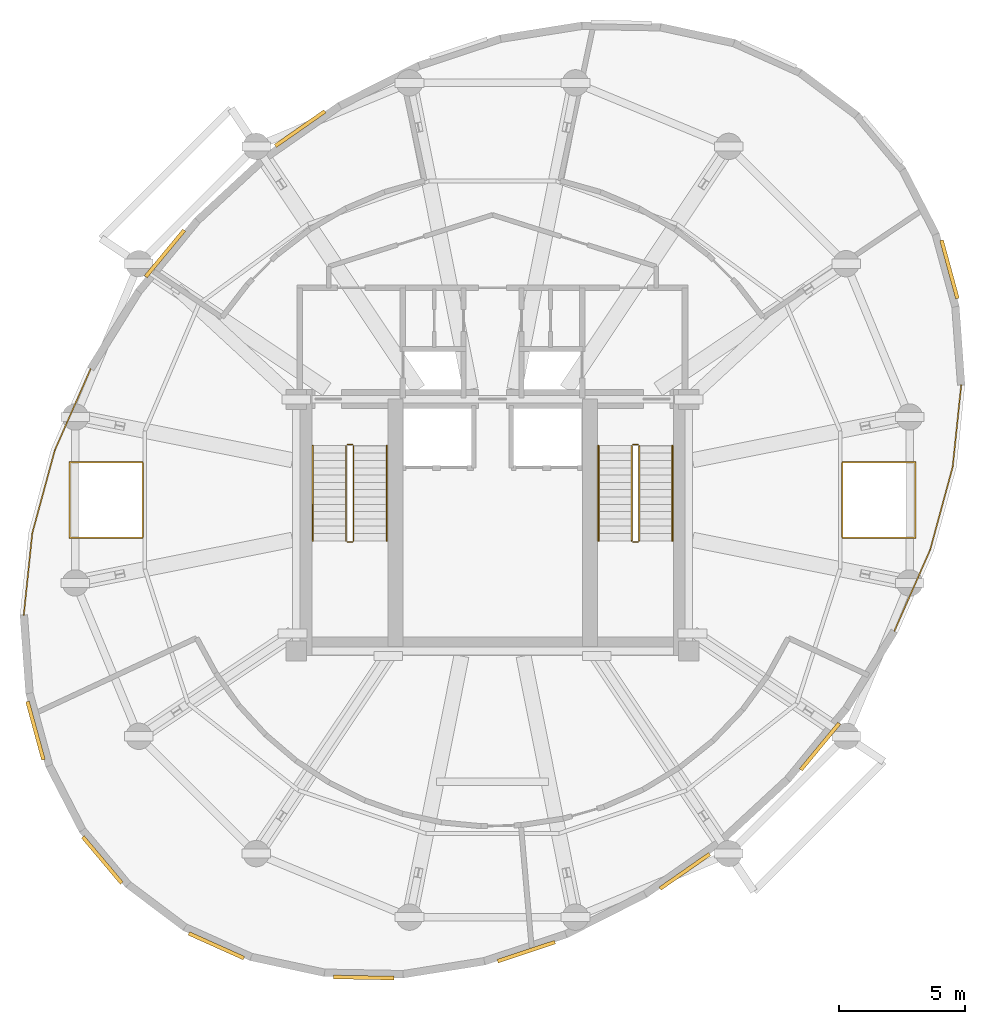
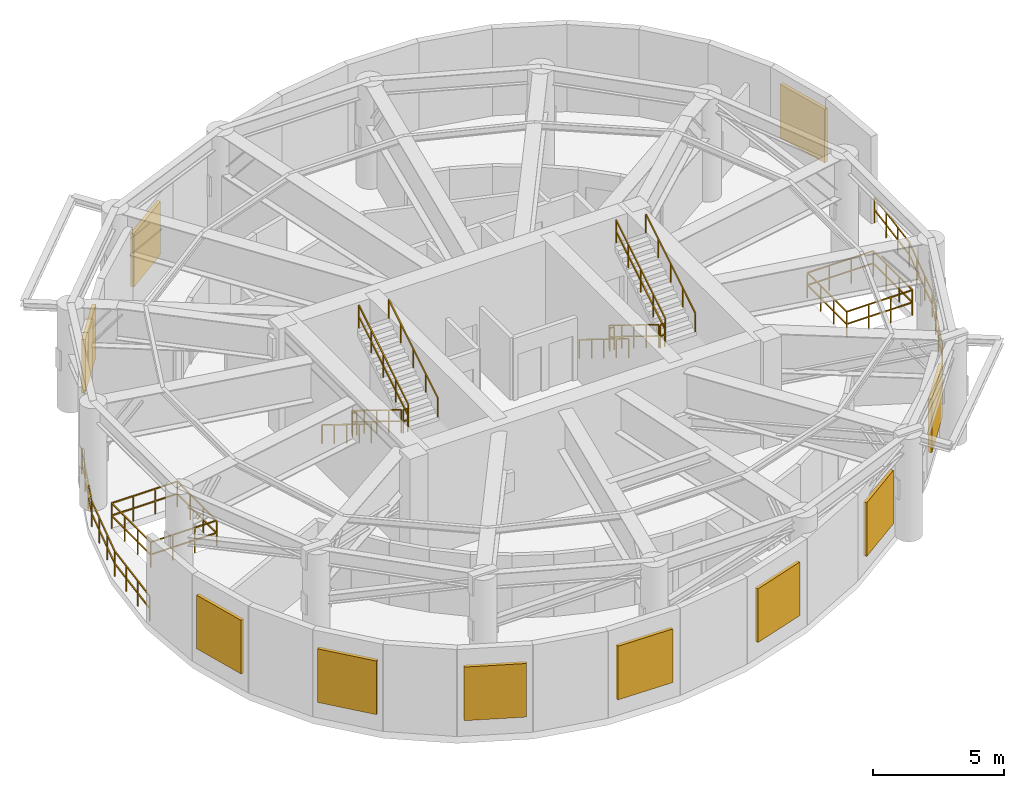
# One storey, part 6 of 7: 20 railings, 10 shading devices.
"""IFC4 building model written with IfcOpenShell, lengths in metres."""

from ifc_helpers import new_model, si_unit, direction, frame, origin, origin_2d, place, context, subcontext, project, spatial, rectangle, extrude, material, layer, layer_set, type_object, element, save


model = new_model("IFC4")

# Units and contexts
model_context = context("Model", 3, precision=1e-05, world=origin(), true_north=direction((0.0, 1.0)))
body_context = subcontext(model_context, "Body", "Model", "MODEL_VIEW")
ifc_project = project(units=[si_unit("LENGTHUNIT", "METRE"), si_unit("AREAUNIT", "SQUARE_METRE"), si_unit("VOLUMEUNIT", "CUBIC_METRE"), si_unit("PLANEANGLEUNIT", "RADIAN"), si_unit("MASSUNIT", "GRAM", prefix="KILO"), si_unit("THERMODYNAMICTEMPERATUREUNIT", "KELVIN"), si_unit("POWERUNIT", "WATT")], contexts=[model_context])

# Site, building, storey
site_placement = place(None, origin())
site = spatial("IfcSite", under=ifc_project, at=site_placement, CompositionType="ELEMENT")
building_placement = place(site_placement, origin())
building = spatial("IfcBuilding", under=site, at=building_placement, Name="Ocrelia Relay Tower", CompositionType="ELEMENT")
storey_placement = place(building_placement, frame((0.0, 0.0, 225.39990234375)))
storey = spatial("IfcBuildingStorey", under=building, at=storey_placement, Name="L55", CompositionType="ELEMENT", Elevation=225.39990234375)

# Railings
ifc_material_1 = material(Name="Steel S355 balustrade", Category="steel")
railing_type_1 = type_object("IfcRailingType", Name="RL-PORTAL-GUARD-1200", PredefinedType="GUARDRAIL", material=ifc_material_1)
railing_1_placement = place(storey_placement, frame((18.03125, 31.210205078125, 0.0)))
element("IfcRailing", 1, at=railing_1_placement, inside=storey, type_object=railing_type_1, Name="L55 Wind Portal Perimeter Guard 12", PredefinedType="GUARDRAIL", context=body_context, shape_type="SweptSolid", body=[
    extrude(rectangle(XDim=0.048095703125, YDim=0.048095703125, at=origin_2d()), frame((0.0, 0.0, 1.17578125), z_axis=(-0.402993412644, -0.915202878801, 0.0), x_axis=(0.915202878801, -0.402993412644, 0.0)), (0.0, 0.0, 1.0), 3.531982421875),
    extrude(rectangle(XDim=0.048095703125, YDim=0.048095703125, at=origin_2d()), frame((0.0, 0.0, 0.60009765625), z_axis=(-0.402993412644, -0.915202878801, 0.0), x_axis=(0.915202878801, -0.402993412644, 0.0)), (0.0, 0.0, 1.0), 3.531982421875),
    extrude(rectangle(XDim=0.0419921875, YDim=0.0419921875, at=origin_2d()), origin(), (0.0, 0.0, 1.0), 1.15185546875),
    extrude(rectangle(XDim=0.0419921875, YDim=0.0419921875, at=origin_2d()), frame((-0.474365234375, -1.077392578125, 0.0)), (0.0, 0.0, 1.0), 1.15185546875),
    extrude(rectangle(XDim=0.0419921875, YDim=0.0419921875, at=origin_2d()), frame((-0.948974609375, -2.155029296875, 0.0)), (0.0, 0.0, 1.0), 1.15185546875),
    extrude(rectangle(XDim=0.0419921875, YDim=0.0419921875, at=origin_2d()), frame((-1.42333984375, -3.232421875, 0.0)), (0.0, 0.0, 1.0), 1.15185546875),
])
railing_2_placement = place(storey_placement, frame((16.60791015625, 27.977783203125, 0.0)))
element("IfcRailing", 2, at=railing_2_placement, inside=storey, type_object=railing_type_1, Name="L55 Wind Portal Perimeter Guard 13", PredefinedType="GUARDRAIL", context=body_context, shape_type="SweptSolid", body=[
    extrude(rectangle(XDim=0.048095703125, YDim=0.048095703125, at=origin_2d()), frame((0.0, 0.0, 1.17578125), z_axis=(-0.262251476405, -0.964999566385, 0.0), x_axis=(0.964999566385, -0.262251476405, 0.0)), (0.0, 0.0, 1.0), 3.411865234375),
    extrude(rectangle(XDim=0.048095703125, YDim=0.048095703125, at=origin_2d()), frame((0.0, 0.0, 0.60009765625), z_axis=(-0.262251476405, -0.964999566385, 0.0), x_axis=(0.964999566385, -0.262251476405, 0.0)), (0.0, 0.0, 1.0), 3.411865234375),
    extrude(rectangle(XDim=0.0419921875, YDim=0.0419921875, at=origin_2d()), origin(), (0.0, 0.0, 1.0), 1.15185546875),
    extrude(rectangle(XDim=0.0419921875, YDim=0.0419921875, at=origin_2d()), frame((-0.29833984375, -1.097412109375, 0.0)), (0.0, 0.0, 1.0), 1.15185546875),
    extrude(rectangle(XDim=0.0419921875, YDim=0.0419921875, at=origin_2d()), frame((-0.596435546875, -2.195068359375, 0.0)), (0.0, 0.0, 1.0), 1.15185546875),
    extrude(rectangle(XDim=0.0419921875, YDim=0.0419921875, at=origin_2d()), frame((-0.894775390625, -3.29248046875, 0.0)), (0.0, 0.0, 1.0), 1.15185546875),
])
railing_3_placement = place(storey_placement, frame((15.713134765625, 24.685302734375, 0.0)))
element("IfcRailing", 3, at=railing_3_placement, inside=storey, type_object=railing_type_1, Name="L55 Wind Portal Perimeter Guard 14", PredefinedType="GUARDRAIL", context=body_context, shape_type="SweptSolid", body=[
    extrude(rectangle(XDim=0.048095703125, YDim=0.048095703125, at=origin_2d()), frame((0.0, 0.0, 1.17578125), z_axis=(-0.103693783349, -0.994609269661, 0.0), x_axis=(0.994609269661, -0.103693783349, 0.0)), (0.0, 0.0, 1.0), 3.270263671875),
    extrude(rectangle(XDim=0.048095703125, YDim=0.048095703125, at=origin_2d()), frame((0.0, 0.0, 0.60009765625), z_axis=(-0.103693783349, -0.994609269661, 0.0), x_axis=(0.994609269661, -0.103693783349, 0.0)), (0.0, 0.0, 1.0), 3.270263671875),
    extrude(rectangle(XDim=0.0419921875, YDim=0.0419921875, at=origin_2d()), origin(), (0.0, 0.0, 1.0), 1.15185546875),
    extrude(rectangle(XDim=0.0419921875, YDim=0.0419921875, at=origin_2d()), frame((-0.113037109375, -1.084228515625, 0.0)), (0.0, 0.0, 1.0), 1.15185546875),
    extrude(rectangle(XDim=0.0419921875, YDim=0.0419921875, at=origin_2d()), frame((-0.22607421875, -2.16845703125, 0.0)), (0.0, 0.0, 1.0), 1.15185546875),
    extrude(rectangle(XDim=0.0419921875, YDim=0.0419921875, at=origin_2d()), frame((-0.339111328125, -3.252685546875, 0.0)), (0.0, 0.0, 1.0), 1.15185546875),
])
railing_4_placement = place(storey_placement, frame((49.96875, 20.789794921875, 0.0)))
element("IfcRailing", 4, at=railing_4_placement, inside=storey, type_object=railing_type_1, Name="L55 Wind Portal Perimeter Guard 30", PredefinedType="GUARDRAIL", context=body_context, shape_type="SweptSolid", body=[
    extrude(rectangle(XDim=0.048095703125, YDim=0.048095703125, at=origin_2d()), frame((0.0, 0.0, 1.17578125), z_axis=(0.402993412644, 0.915202878801, 0.0), x_axis=(-0.915202878801, 0.402993412644, 0.0)), (0.0, 0.0, 1.0), 3.531982421875),
    extrude(rectangle(XDim=0.048095703125, YDim=0.048095703125, at=origin_2d()), frame((0.0, 0.0, 0.60009765625), z_axis=(0.402993412644, 0.915202878801, 0.0), x_axis=(-0.915202878801, 0.402993412644, 0.0)), (0.0, 0.0, 1.0), 3.531982421875),
    extrude(rectangle(XDim=0.0419921875, YDim=0.0419921875, at=origin_2d()), origin(), (0.0, 0.0, 1.0), 1.15185546875),
    extrude(rectangle(XDim=0.0419921875, YDim=0.0419921875, at=origin_2d()), frame((0.474365234375, 1.077392578125, 0.0)), (0.0, 0.0, 1.0), 1.15185546875),
    extrude(rectangle(XDim=0.0419921875, YDim=0.0419921875, at=origin_2d()), frame((0.948974609375, 2.155029296875, 0.0)), (0.0, 0.0, 1.0), 1.15185546875),
    extrude(rectangle(XDim=0.0419921875, YDim=0.0419921875, at=origin_2d()), frame((1.42333984375, 3.232421875, 0.0)), (0.0, 0.0, 1.0), 1.15185546875),
])
railing_5_placement = place(storey_placement, frame((51.39208984375, 24.022216796875, 0.0)))
element("IfcRailing", 5, at=railing_5_placement, inside=storey, type_object=railing_type_1, Name="L55 Wind Portal Perimeter Guard 31", PredefinedType="GUARDRAIL", context=body_context, shape_type="SweptSolid", body=[
    extrude(rectangle(XDim=0.048095703125, YDim=0.048095703125, at=origin_2d()), frame((0.0, 0.0, 1.17578125), z_axis=(0.262251476405, 0.964999566385, 0.0), x_axis=(-0.964999566385, 0.262251476405, 0.0)), (0.0, 0.0, 1.0), 3.411865234375),
    extrude(rectangle(XDim=0.048095703125, YDim=0.048095703125, at=origin_2d()), frame((0.0, 0.0, 0.60009765625), z_axis=(0.262251476405, 0.964999566385, 0.0), x_axis=(-0.964999566385, 0.262251476405, 0.0)), (0.0, 0.0, 1.0), 3.411865234375),
    extrude(rectangle(XDim=0.0419921875, YDim=0.0419921875, at=origin_2d()), origin(), (0.0, 0.0, 1.0), 1.15185546875),
    extrude(rectangle(XDim=0.0419921875, YDim=0.0419921875, at=origin_2d()), frame((0.29833984375, 1.097412109375, 0.0)), (0.0, 0.0, 1.0), 1.15185546875),
    extrude(rectangle(XDim=0.0419921875, YDim=0.0419921875, at=origin_2d()), frame((0.596435546875, 2.195068359375, 0.0)), (0.0, 0.0, 1.0), 1.15185546875),
    extrude(rectangle(XDim=0.0419921875, YDim=0.0419921875, at=origin_2d()), frame((0.894775390625, 3.29248046875, 0.0)), (0.0, 0.0, 1.0), 1.15185546875),
])
railing_6_placement = place(storey_placement, frame((52.286865234375, 27.314697265625, 0.0)))
element("IfcRailing", 6, at=railing_6_placement, inside=storey, type_object=railing_type_1, Name="L55 Wind Portal Perimeter Guard 32", PredefinedType="GUARDRAIL", context=body_context, shape_type="SweptSolid", body=[
    extrude(rectangle(XDim=0.048095703125, YDim=0.048095703125, at=origin_2d()), frame((0.0, 0.0, 1.17578125), z_axis=(0.103693783349, 0.994609269661, 0.0), x_axis=(-0.994609269661, 0.103693783349, 0.0)), (0.0, 0.0, 1.0), 3.270263671875),
    extrude(rectangle(XDim=0.048095703125, YDim=0.048095703125, at=origin_2d()), frame((0.0, 0.0, 0.60009765625), z_axis=(0.103693783349, 0.994609269661, 0.0), x_axis=(-0.994609269661, 0.103693783349, 0.0)), (0.0, 0.0, 1.0), 3.270263671875),
    extrude(rectangle(XDim=0.0419921875, YDim=0.0419921875, at=origin_2d()), origin(), (0.0, 0.0, 1.0), 1.15185546875),
    extrude(rectangle(XDim=0.0419921875, YDim=0.0419921875, at=origin_2d()), frame((0.113037109375, 1.084228515625, 0.0)), (0.0, 0.0, 1.0), 1.15185546875),
    extrude(rectangle(XDim=0.0419921875, YDim=0.0419921875, at=origin_2d()), frame((0.22607421875, 2.16845703125, 0.0)), (0.0, 0.0, 1.0), 1.15185546875),
    extrude(rectangle(XDim=0.0419921875, YDim=0.0419921875, at=origin_2d()), frame((0.339111328125, 3.252685546875, 0.0)), (0.0, 0.0, 1.0), 1.15185546875),
])
railing_7_placement = place(storey_placement, frame((17.199951171875, 24.5, 0.0)))
element("IfcRailing", 7, at=railing_7_placement, inside=storey, type_object=railing_type_1, Name="L55 Double-Height Wind Portal Well Guard W", PredefinedType="GUARDRAIL", context=body_context, shape_type="SweptSolid", body=[
    extrude(rectangle(XDim=0.048095703125, YDim=0.048095703125, at=origin_2d()), frame((0.0, 0.0, 1.17578125), z_axis=(1.0, 0.0, 0.0), x_axis=(0.0, 1.0, 0.0)), (0.0, 0.0, 1.0), 2.900146484375),
    extrude(rectangle(XDim=0.048095703125, YDim=0.048095703125, at=origin_2d()), frame((0.0, 0.0, 0.60009765625), z_axis=(1.0, 0.0, 0.0), x_axis=(0.0, 1.0, 0.0)), (0.0, 0.0, 1.0), 2.900146484375),
    extrude(rectangle(XDim=0.048095703125, YDim=0.048095703125, at=origin_2d()), frame((2.900146484375, 0.0, 1.17578125), z_axis=(0.0, 1.0, 0.0), x_axis=(-1.0, 0.0, 0.0)), (0.0, 0.0, 1.0), 3.0),
    extrude(rectangle(XDim=0.048095703125, YDim=0.048095703125, at=origin_2d()), frame((2.900146484375, 0.0, 0.60009765625), z_axis=(0.0, 1.0, 0.0), x_axis=(-1.0, 0.0, 0.0)), (0.0, 0.0, 1.0), 3.0),
    extrude(rectangle(XDim=0.048095703125, YDim=0.048095703125, at=origin_2d()), frame((2.900146484375, 3.0, 1.17578125), z_axis=(-1.0, 0.0, 0.0), x_axis=(0.0, -1.0, 0.0)), (0.0, 0.0, 1.0), 2.900146484375),
    extrude(rectangle(XDim=0.048095703125, YDim=0.048095703125, at=origin_2d()), frame((2.900146484375, 3.0, 0.60009765625), z_axis=(-1.0, 0.0, 0.0), x_axis=(0.0, -1.0, 0.0)), (0.0, 0.0, 1.0), 2.900146484375),
    extrude(rectangle(XDim=0.048095703125, YDim=0.048095703125, at=origin_2d()), frame((0.0, 3.0, 1.17578125), z_axis=(0.0, -1.0, 0.0), x_axis=(1.0, 0.0, 0.0)), (0.0, 0.0, 1.0), 3.0),
    extrude(rectangle(XDim=0.048095703125, YDim=0.048095703125, at=origin_2d()), frame((0.0, 3.0, 0.60009765625), z_axis=(0.0, -1.0, 0.0), x_axis=(1.0, 0.0, 0.0)), (0.0, 0.0, 1.0), 3.0),
    extrude(rectangle(XDim=0.0419921875, YDim=0.0419921875, at=origin_2d()), origin(), (0.0, 0.0, 1.0), 1.15185546875),
    extrude(rectangle(XDim=0.0419921875, YDim=0.0419921875, at=origin_2d()), frame((0.966796875, 0.0, 0.0)), (0.0, 0.0, 1.0), 1.15185546875),
    extrude(rectangle(XDim=0.0419921875, YDim=0.0419921875, at=origin_2d()), frame((1.933349609375, 0.0, 0.0)), (0.0, 0.0, 1.0), 1.15185546875),
    extrude(rectangle(XDim=0.0419921875, YDim=0.0419921875, at=origin_2d()), frame((2.900146484375, 0.0, 0.0)), (0.0, 0.0, 1.0), 1.15185546875),
    extrude(rectangle(XDim=0.0419921875, YDim=0.0419921875, at=origin_2d()), frame((2.900146484375, 1.0, 0.0)), (0.0, 0.0, 1.0), 1.15185546875),
    extrude(rectangle(XDim=0.0419921875, YDim=0.0419921875, at=origin_2d()), frame((2.900146484375, 2.0, 0.0)), (0.0, 0.0, 1.0), 1.15185546875),
    extrude(rectangle(XDim=0.0419921875, YDim=0.0419921875, at=origin_2d()), frame((2.900146484375, 3.0, 0.0)), (0.0, 0.0, 1.0), 1.15185546875),
    extrude(rectangle(XDim=0.0419921875, YDim=0.0419921875, at=origin_2d()), frame((1.933349609375, 3.0, 0.0)), (0.0, 0.0, 1.0), 1.15185546875),
    extrude(rectangle(XDim=0.0419921875, YDim=0.0419921875, at=origin_2d()), frame((0.966796875, 3.0, 0.0)), (0.0, 0.0, 1.0), 1.15185546875),
    extrude(rectangle(XDim=0.0419921875, YDim=0.0419921875, at=origin_2d()), frame((0.0, 3.0, 0.0)), (0.0, 0.0, 1.0), 1.15185546875),
    extrude(rectangle(XDim=0.0419921875, YDim=0.0419921875, at=origin_2d()), frame((0.0, 2.0, 0.0)), (0.0, 0.0, 1.0), 1.15185546875),
    extrude(rectangle(XDim=0.0419921875, YDim=0.0419921875, at=origin_2d()), frame((0.0, 1.0, 0.0)), (0.0, 0.0, 1.0), 1.15185546875),
])
railing_8_placement = place(storey_placement, frame((47.89990234375, 24.5, 0.0)))
element("IfcRailing", 8, at=railing_8_placement, inside=storey, type_object=railing_type_1, Name="L55 Double-Height Wind Portal Well Guard E", PredefinedType="GUARDRAIL", context=body_context, shape_type="SweptSolid", body=[
    extrude(rectangle(XDim=0.048095703125, YDim=0.048095703125, at=origin_2d()), frame((0.0, 0.0, 1.17578125), z_axis=(1.0, 0.0, 0.0), x_axis=(0.0, 1.0, 0.0)), (0.0, 0.0, 1.0), 2.900146484375),
    extrude(rectangle(XDim=0.048095703125, YDim=0.048095703125, at=origin_2d()), frame((0.0, 0.0, 0.60009765625), z_axis=(1.0, 0.0, 0.0), x_axis=(0.0, 1.0, 0.0)), (0.0, 0.0, 1.0), 2.900146484375),
    extrude(rectangle(XDim=0.048095703125, YDim=0.048095703125, at=origin_2d()), frame((2.900146484375, 0.0, 1.17578125), z_axis=(0.0, 1.0, 0.0), x_axis=(-1.0, 0.0, 0.0)), (0.0, 0.0, 1.0), 3.0),
    extrude(rectangle(XDim=0.048095703125, YDim=0.048095703125, at=origin_2d()), frame((2.900146484375, 0.0, 0.60009765625), z_axis=(0.0, 1.0, 0.0), x_axis=(-1.0, 0.0, 0.0)), (0.0, 0.0, 1.0), 3.0),
    extrude(rectangle(XDim=0.048095703125, YDim=0.048095703125, at=origin_2d()), frame((2.900146484375, 3.0, 1.17578125), z_axis=(-1.0, 0.0, 0.0), x_axis=(0.0, -1.0, 0.0)), (0.0, 0.0, 1.0), 2.900146484375),
    extrude(rectangle(XDim=0.048095703125, YDim=0.048095703125, at=origin_2d()), frame((2.900146484375, 3.0, 0.60009765625), z_axis=(-1.0, 0.0, 0.0), x_axis=(0.0, -1.0, 0.0)), (0.0, 0.0, 1.0), 2.900146484375),
    extrude(rectangle(XDim=0.048095703125, YDim=0.048095703125, at=origin_2d()), frame((0.0, 3.0, 1.17578125), z_axis=(0.0, -1.0, 0.0), x_axis=(1.0, 0.0, 0.0)), (0.0, 0.0, 1.0), 3.0),
    extrude(rectangle(XDim=0.048095703125, YDim=0.048095703125, at=origin_2d()), frame((0.0, 3.0, 0.60009765625), z_axis=(0.0, -1.0, 0.0), x_axis=(1.0, 0.0, 0.0)), (0.0, 0.0, 1.0), 3.0),
    extrude(rectangle(XDim=0.0419921875, YDim=0.0419921875, at=origin_2d()), origin(), (0.0, 0.0, 1.0), 1.15185546875),
    extrude(rectangle(XDim=0.0419921875, YDim=0.0419921875, at=origin_2d()), frame((0.966796875, 0.0, 0.0)), (0.0, 0.0, 1.0), 1.15185546875),
    extrude(rectangle(XDim=0.0419921875, YDim=0.0419921875, at=origin_2d()), frame((1.933349609375, 0.0, 0.0)), (0.0, 0.0, 1.0), 1.15185546875),
    extrude(rectangle(XDim=0.0419921875, YDim=0.0419921875, at=origin_2d()), frame((2.900146484375, 0.0, 0.0)), (0.0, 0.0, 1.0), 1.15185546875),
    extrude(rectangle(XDim=0.0419921875, YDim=0.0419921875, at=origin_2d()), frame((2.900146484375, 1.0, 0.0)), (0.0, 0.0, 1.0), 1.15185546875),
    extrude(rectangle(XDim=0.0419921875, YDim=0.0419921875, at=origin_2d()), frame((2.900146484375, 2.0, 0.0)), (0.0, 0.0, 1.0), 1.15185546875),
    extrude(rectangle(XDim=0.0419921875, YDim=0.0419921875, at=origin_2d()), frame((2.900146484375, 3.0, 0.0)), (0.0, 0.0, 1.0), 1.15185546875),
    extrude(rectangle(XDim=0.0419921875, YDim=0.0419921875, at=origin_2d()), frame((1.933349609375, 3.0, 0.0)), (0.0, 0.0, 1.0), 1.15185546875),
    extrude(rectangle(XDim=0.0419921875, YDim=0.0419921875, at=origin_2d()), frame((0.966796875, 3.0, 0.0)), (0.0, 0.0, 1.0), 1.15185546875),
    extrude(rectangle(XDim=0.0419921875, YDim=0.0419921875, at=origin_2d()), frame((0.0, 3.0, 0.0)), (0.0, 0.0, 1.0), 1.15185546875),
    extrude(rectangle(XDim=0.0419921875, YDim=0.0419921875, at=origin_2d()), frame((0.0, 2.0, 0.0)), (0.0, 0.0, 1.0), 1.15185546875),
    extrude(rectangle(XDim=0.0419921875, YDim=0.0419921875, at=origin_2d()), frame((0.0, 1.0, 0.0)), (0.0, 0.0, 1.0), 1.15185546875),
])
railing_type_2 = type_object("IfcRailingType", Name="RL-STAIR-GUARD", PredefinedType="GUARDRAIL", material=ifc_material_1)
railing_9_placement = place(storey_placement, frame((28.179931640625, 28.14990234375, 0.1787109375)))
element("IfcRailing", 9, at=railing_9_placement, inside=storey, type_object=railing_type_2, Name="L55 ST1 stair guard 1", PredefinedType="GUARDRAIL", context=body_context, shape_type="SweptSolid", body=[
    extrude(rectangle(XDim=0.048095703125, YDim=0.048095703125, at=origin_2d()), frame((0.0, 0.0, 1.076171875), z_axis=(0.0, -0.851529543405, 0.524306624705), x_axis=(1.0, 0.0, 0.0)), (0.0, 0.0, 1.0), 4.42724609375),
    extrude(rectangle(XDim=0.048095703125, YDim=0.048095703125, at=origin_2d()), frame((0.0, 0.0, 0.550048828125), z_axis=(0.0, -0.851529543405, 0.524306624705), x_axis=(1.0, 0.0, 0.0)), (0.0, 0.0, 1.0), 4.42724609375),
    extrude(rectangle(XDim=0.0419921875, YDim=0.0419921875, at=origin_2d()), origin(), (0.0, 0.0, 1.0), 1.052001953125),
    extrude(rectangle(XDim=0.0419921875, YDim=0.0419921875, at=origin_2d()), frame((0.0, -0.9423828125, 0.580322265625)), (0.0, 0.0, 1.0), 1.052001953125),
    extrude(rectangle(XDim=0.0419921875, YDim=0.0419921875, at=origin_2d()), frame((0.0, -1.885009765625, 1.16064453125)), (0.0, 0.0, 1.0), 1.052001953125),
    extrude(rectangle(XDim=0.0419921875, YDim=0.0419921875, at=origin_2d()), frame((0.0, -2.82763671875, 1.740966796875)), (0.0, 0.0, 1.0), 1.052001953125),
    extrude(rectangle(XDim=0.0419921875, YDim=0.0419921875, at=origin_2d()), frame((0.0, -3.77001953125, 2.3212890625)), (0.0, 0.0, 1.0), 1.052001953125),
])
railing_10_placement = place(storey_placement, frame((28.22998046875, 24.330078125, 2.5)))
element("IfcRailing", 10, at=railing_10_placement, inside=storey, type_object=railing_type_2, Name="L55 ST1 stair guard 2", PredefinedType="GUARDRAIL", context=body_context, shape_type="SweptSolid", body=[
    extrude(rectangle(XDim=0.048095703125, YDim=0.048095703125, at=origin_2d()), frame((0.0, 0.0, 1.076171875), z_axis=(1.0, 0.0, 0.0), x_axis=(0.0, 1.0, 0.0)), (0.0, 0.0, 1.0), 0.199951171875),
    extrude(rectangle(XDim=0.048095703125, YDim=0.048095703125, at=origin_2d()), frame((0.0, 0.0, 0.550048828125), z_axis=(1.0, 0.0, 0.0), x_axis=(0.0, 1.0, 0.0)), (0.0, 0.0, 1.0), 0.199951171875),
    extrude(rectangle(XDim=0.0419921875, YDim=0.0419921875, at=origin_2d()), origin(), (0.0, 0.0, 1.0), 1.052001953125),
    extrude(rectangle(XDim=0.0419921875, YDim=0.0419921875, at=origin_2d()), frame((0.199951171875, 0.0, 0.0)), (0.0, 0.0, 1.0), 1.052001953125),
])
railing_11_placement = place(storey_placement, frame((28.47998046875, 24.3798828125, 2.6787109375)))
element("IfcRailing", 11, at=railing_11_placement, inside=storey, type_object=railing_type_2, Name="L55 ST1 stair guard 3", PredefinedType="GUARDRAIL", context=body_context, shape_type="SweptSolid", body=[
    extrude(rectangle(XDim=0.048095703125, YDim=0.048095703125, at=origin_2d()), frame((0.0, 0.0, 1.076171875), z_axis=(0.0, 0.851529543405, 0.524306624705), x_axis=(-1.0, 0.0, 0.0)), (0.0, 0.0, 1.0), 4.42724609375),
    extrude(rectangle(XDim=0.048095703125, YDim=0.048095703125, at=origin_2d()), frame((0.0, 0.0, 0.550048828125), z_axis=(0.0, 0.851529543405, 0.524306624705), x_axis=(-1.0, 0.0, 0.0)), (0.0, 0.0, 1.0), 4.42724609375),
    extrude(rectangle(XDim=0.0419921875, YDim=0.0419921875, at=origin_2d()), origin(), (0.0, 0.0, 1.0), 1.052001953125),
    extrude(rectangle(XDim=0.0419921875, YDim=0.0419921875, at=origin_2d()), frame((0.0, 0.9423828125, 0.580322265625)), (0.0, 0.0, 1.0), 1.052001953125),
    extrude(rectangle(XDim=0.0419921875, YDim=0.0419921875, at=origin_2d()), frame((0.0, 1.885009765625, 1.16064453125)), (0.0, 0.0, 1.0), 1.052001953125),
    extrude(rectangle(XDim=0.0419921875, YDim=0.0419921875, at=origin_2d()), frame((0.0, 2.82763671875, 1.740966796875)), (0.0, 0.0, 1.0), 1.052001953125),
    extrude(rectangle(XDim=0.0419921875, YDim=0.0419921875, at=origin_2d()), frame((0.0, 3.77001953125, 2.3212890625)), (0.0, 0.0, 1.0), 1.052001953125),
])
railing_12_placement = place(storey_placement, frame((28.22998046875, 28.199951171875, 0.0)))
element("IfcRailing", 12, at=railing_12_placement, inside=storey, type_object=railing_type_2, Name="L55 ST1 stair guard 4", PredefinedType="GUARDRAIL", context=body_context, shape_type="SweptSolid", body=[
    extrude(rectangle(XDim=0.048095703125, YDim=0.048095703125, at=origin_2d()), frame((0.0, 0.0, 1.076171875), z_axis=(1.0, 0.0, 0.0), x_axis=(0.0, 1.0, 0.0)), (0.0, 0.0, 1.0), 0.199951171875),
    extrude(rectangle(XDim=0.048095703125, YDim=0.048095703125, at=origin_2d()), frame((0.0, 0.0, 0.550048828125), z_axis=(1.0, 0.0, 0.0), x_axis=(0.0, 1.0, 0.0)), (0.0, 0.0, 1.0), 0.199951171875),
    extrude(rectangle(XDim=0.0419921875, YDim=0.0419921875, at=origin_2d()), origin(), (0.0, 0.0, 1.0), 1.052001953125),
    extrude(rectangle(XDim=0.0419921875, YDim=0.0419921875, at=origin_2d()), frame((0.199951171875, 0.0, 0.0)), (0.0, 0.0, 1.0), 1.052001953125),
])
railing_13_placement = place(storey_placement, frame((39.530029296875, 28.14990234375, 0.1787109375)))
element("IfcRailing", 13, at=railing_13_placement, inside=storey, type_object=railing_type_2, Name="L55 ST2 stair guard 1", PredefinedType="GUARDRAIL", context=body_context, shape_type="SweptSolid", body=[
    extrude(rectangle(XDim=0.048095703125, YDim=0.048095703125, at=origin_2d()), frame((0.0, 0.0, 1.076171875), z_axis=(0.0, -0.851529543405, 0.524306624705), x_axis=(1.0, 0.0, 0.0)), (0.0, 0.0, 1.0), 4.42724609375),
    extrude(rectangle(XDim=0.048095703125, YDim=0.048095703125, at=origin_2d()), frame((0.0, 0.0, 0.550048828125), z_axis=(0.0, -0.851529543405, 0.524306624705), x_axis=(1.0, 0.0, 0.0)), (0.0, 0.0, 1.0), 4.42724609375),
    extrude(rectangle(XDim=0.0419921875, YDim=0.0419921875, at=origin_2d()), origin(), (0.0, 0.0, 1.0), 1.052001953125),
    extrude(rectangle(XDim=0.0419921875, YDim=0.0419921875, at=origin_2d()), frame((0.0, -0.9423828125, 0.580322265625)), (0.0, 0.0, 1.0), 1.052001953125),
    extrude(rectangle(XDim=0.0419921875, YDim=0.0419921875, at=origin_2d()), frame((0.0, -1.885009765625, 1.16064453125)), (0.0, 0.0, 1.0), 1.052001953125),
    extrude(rectangle(XDim=0.0419921875, YDim=0.0419921875, at=origin_2d()), frame((0.0, -2.82763671875, 1.740966796875)), (0.0, 0.0, 1.0), 1.052001953125),
    extrude(rectangle(XDim=0.0419921875, YDim=0.0419921875, at=origin_2d()), frame((0.0, -3.77001953125, 2.3212890625)), (0.0, 0.0, 1.0), 1.052001953125),
])
railing_14_placement = place(storey_placement, frame((39.580078125, 24.330078125, 2.5)))
element("IfcRailing", 14, at=railing_14_placement, inside=storey, type_object=railing_type_2, Name="L55 ST2 stair guard 2", PredefinedType="GUARDRAIL", context=body_context, shape_type="SweptSolid", body=[
    extrude(rectangle(XDim=0.048095703125, YDim=0.048095703125, at=origin_2d()), frame((0.0, 0.0, 1.076171875), z_axis=(1.0, 0.0, 0.0), x_axis=(0.0, 1.0, 0.0)), (0.0, 0.0, 1.0), 0.199951171875),
    extrude(rectangle(XDim=0.048095703125, YDim=0.048095703125, at=origin_2d()), frame((0.0, 0.0, 0.550048828125), z_axis=(1.0, 0.0, 0.0), x_axis=(0.0, 1.0, 0.0)), (0.0, 0.0, 1.0), 0.199951171875),
    extrude(rectangle(XDim=0.0419921875, YDim=0.0419921875, at=origin_2d()), origin(), (0.0, 0.0, 1.0), 1.052001953125),
    extrude(rectangle(XDim=0.0419921875, YDim=0.0419921875, at=origin_2d()), frame((0.199951171875, 0.0, 0.0)), (0.0, 0.0, 1.0), 1.052001953125),
])
railing_15_placement = place(storey_placement, frame((39.830078125, 24.3798828125, 2.6787109375)))
element("IfcRailing", 15, at=railing_15_placement, inside=storey, type_object=railing_type_2, Name="L55 ST2 stair guard 3", PredefinedType="GUARDRAIL", context=body_context, shape_type="SweptSolid", body=[
    extrude(rectangle(XDim=0.048095703125, YDim=0.048095703125, at=origin_2d()), frame((0.0, 0.0, 1.076171875), z_axis=(0.0, 0.851529543405, 0.524306624705), x_axis=(-1.0, 0.0, 0.0)), (0.0, 0.0, 1.0), 4.42724609375),
    extrude(rectangle(XDim=0.048095703125, YDim=0.048095703125, at=origin_2d()), frame((0.0, 0.0, 0.550048828125), z_axis=(0.0, 0.851529543405, 0.524306624705), x_axis=(-1.0, 0.0, 0.0)), (0.0, 0.0, 1.0), 4.42724609375),
    extrude(rectangle(XDim=0.0419921875, YDim=0.0419921875, at=origin_2d()), origin(), (0.0, 0.0, 1.0), 1.052001953125),
    extrude(rectangle(XDim=0.0419921875, YDim=0.0419921875, at=origin_2d()), frame((0.0, 0.9423828125, 0.580322265625)), (0.0, 0.0, 1.0), 1.052001953125),
    extrude(rectangle(XDim=0.0419921875, YDim=0.0419921875, at=origin_2d()), frame((0.0, 1.885009765625, 1.16064453125)), (0.0, 0.0, 1.0), 1.052001953125),
    extrude(rectangle(XDim=0.0419921875, YDim=0.0419921875, at=origin_2d()), frame((0.0, 2.82763671875, 1.740966796875)), (0.0, 0.0, 1.0), 1.052001953125),
    extrude(rectangle(XDim=0.0419921875, YDim=0.0419921875, at=origin_2d()), frame((0.0, 3.77001953125, 2.3212890625)), (0.0, 0.0, 1.0), 1.052001953125),
])
railing_16_placement = place(storey_placement, frame((39.580078125, 28.199951171875, 0.0)))
element("IfcRailing", 16, at=railing_16_placement, inside=storey, type_object=railing_type_2, Name="L55 ST2 stair guard 4", PredefinedType="GUARDRAIL", context=body_context, shape_type="SweptSolid", body=[
    extrude(rectangle(XDim=0.048095703125, YDim=0.048095703125, at=origin_2d()), frame((0.0, 0.0, 1.076171875), z_axis=(1.0, 0.0, 0.0), x_axis=(0.0, 1.0, 0.0)), (0.0, 0.0, 1.0), 0.199951171875),
    extrude(rectangle(XDim=0.048095703125, YDim=0.048095703125, at=origin_2d()), frame((0.0, 0.0, 0.550048828125), z_axis=(1.0, 0.0, 0.0), x_axis=(0.0, 1.0, 0.0)), (0.0, 0.0, 1.0), 0.199951171875),
    extrude(rectangle(XDim=0.0419921875, YDim=0.0419921875, at=origin_2d()), origin(), (0.0, 0.0, 1.0), 1.052001953125),
    extrude(rectangle(XDim=0.0419921875, YDim=0.0419921875, at=origin_2d()), frame((0.199951171875, 0.0, 0.0)), (0.0, 0.0, 1.0), 1.052001953125),
])
ifc_material_2 = material(Name="Steel S355 tubular handrail", Category="steel")
railing_type_3 = type_object("IfcRailingType", Name="RL-STAIR-HAND", PredefinedType="HANDRAIL", material=ifc_material_2)
railing_17_placement = place(storey_placement, frame((26.860107421875, 28.14990234375, 0.1787109375)))
element("IfcRailing", 17, at=railing_17_placement, inside=storey, type_object=railing_type_3, Name="L55 ST1 stair handrail 1", PredefinedType="HANDRAIL", context=body_context, shape_type="SweptSolid", body=[
    extrude(rectangle(XDim=0.048095703125, YDim=0.048095703125, at=origin_2d()), frame((0.0, 0.0, 0.8759765625), z_axis=(0.0, -0.851529543405, 0.524306624705), x_axis=(1.0, 0.0, 0.0)), (0.0, 0.0, 1.0), 4.42724609375),
    extrude(rectangle(XDim=0.0419921875, YDim=0.0419921875, at=origin_2d()), origin(), (0.0, 0.0, 1.0), 0.851806640625),
    extrude(rectangle(XDim=0.0419921875, YDim=0.0419921875, at=origin_2d()), frame((0.0, -0.9423828125, 0.580322265625)), (0.0, 0.0, 1.0), 0.851806640625),
    extrude(rectangle(XDim=0.0419921875, YDim=0.0419921875, at=origin_2d()), frame((0.0, -1.885009765625, 1.16064453125)), (0.0, 0.0, 1.0), 0.851806640625),
    extrude(rectangle(XDim=0.0419921875, YDim=0.0419921875, at=origin_2d()), frame((0.0, -2.82763671875, 1.740966796875)), (0.0, 0.0, 1.0), 0.851806640625),
    extrude(rectangle(XDim=0.0419921875, YDim=0.0419921875, at=origin_2d()), frame((0.0, -3.77001953125, 2.3212890625)), (0.0, 0.0, 1.0), 0.851806640625),
])
railing_18_placement = place(storey_placement, frame((29.800048828125, 24.3798828125, 2.6787109375)))
element("IfcRailing", 18, at=railing_18_placement, inside=storey, type_object=railing_type_3, Name="L55 ST1 stair handrail 2", PredefinedType="HANDRAIL", context=body_context, shape_type="SweptSolid", body=[
    extrude(rectangle(XDim=0.048095703125, YDim=0.048095703125, at=origin_2d()), frame((0.0, 0.0, 0.8759765625), z_axis=(0.0, 0.851529543405, 0.524306624705), x_axis=(-1.0, 0.0, 0.0)), (0.0, 0.0, 1.0), 4.42724609375),
    extrude(rectangle(XDim=0.0419921875, YDim=0.0419921875, at=origin_2d()), origin(), (0.0, 0.0, 1.0), 0.851806640625),
    extrude(rectangle(XDim=0.0419921875, YDim=0.0419921875, at=origin_2d()), frame((0.0, 0.9423828125, 0.580322265625)), (0.0, 0.0, 1.0), 0.851806640625),
    extrude(rectangle(XDim=0.0419921875, YDim=0.0419921875, at=origin_2d()), frame((0.0, 1.885009765625, 1.16064453125)), (0.0, 0.0, 1.0), 0.851806640625),
    extrude(rectangle(XDim=0.0419921875, YDim=0.0419921875, at=origin_2d()), frame((0.0, 2.82763671875, 1.740966796875)), (0.0, 0.0, 1.0), 0.851806640625),
    extrude(rectangle(XDim=0.0419921875, YDim=0.0419921875, at=origin_2d()), frame((0.0, 3.77001953125, 2.3212890625)), (0.0, 0.0, 1.0), 0.851806640625),
])
railing_19_placement = place(storey_placement, frame((38.2099609375, 28.14990234375, 0.1787109375)))
element("IfcRailing", 19, at=railing_19_placement, inside=storey, type_object=railing_type_3, Name="L55 ST2 stair handrail 1", PredefinedType="HANDRAIL", context=body_context, shape_type="SweptSolid", body=[
    extrude(rectangle(XDim=0.048095703125, YDim=0.048095703125, at=origin_2d()), frame((0.0, 0.0, 0.8759765625), z_axis=(0.0, -0.851529543405, 0.524306624705), x_axis=(1.0, 0.0, 0.0)), (0.0, 0.0, 1.0), 4.42724609375),
    extrude(rectangle(XDim=0.0419921875, YDim=0.0419921875, at=origin_2d()), origin(), (0.0, 0.0, 1.0), 0.851806640625),
    extrude(rectangle(XDim=0.0419921875, YDim=0.0419921875, at=origin_2d()), frame((0.0, -0.9423828125, 0.580322265625)), (0.0, 0.0, 1.0), 0.851806640625),
    extrude(rectangle(XDim=0.0419921875, YDim=0.0419921875, at=origin_2d()), frame((0.0, -1.885009765625, 1.16064453125)), (0.0, 0.0, 1.0), 0.851806640625),
    extrude(rectangle(XDim=0.0419921875, YDim=0.0419921875, at=origin_2d()), frame((0.0, -2.82763671875, 1.740966796875)), (0.0, 0.0, 1.0), 0.851806640625),
    extrude(rectangle(XDim=0.0419921875, YDim=0.0419921875, at=origin_2d()), frame((0.0, -3.77001953125, 2.3212890625)), (0.0, 0.0, 1.0), 0.851806640625),
])
railing_20_placement = place(storey_placement, frame((41.14990234375, 24.3798828125, 2.6787109375)))
element("IfcRailing", 20, at=railing_20_placement, inside=storey, type_object=railing_type_3, Name="L55 ST2 stair handrail 2", PredefinedType="HANDRAIL", context=body_context, shape_type="SweptSolid", body=[
    extrude(rectangle(XDim=0.048095703125, YDim=0.048095703125, at=origin_2d()), frame((0.0, 0.0, 0.8759765625), z_axis=(0.0, 0.851529543405, 0.524306624705), x_axis=(-1.0, 0.0, 0.0)), (0.0, 0.0, 1.0), 4.42724609375),
    extrude(rectangle(XDim=0.0419921875, YDim=0.0419921875, at=origin_2d()), origin(), (0.0, 0.0, 1.0), 0.851806640625),
    extrude(rectangle(XDim=0.0419921875, YDim=0.0419921875, at=origin_2d()), frame((0.0, 0.9423828125, 0.580322265625)), (0.0, 0.0, 1.0), 0.851806640625),
    extrude(rectangle(XDim=0.0419921875, YDim=0.0419921875, at=origin_2d()), frame((0.0, 1.885009765625, 1.16064453125)), (0.0, 0.0, 1.0), 0.851806640625),
    extrude(rectangle(XDim=0.0419921875, YDim=0.0419921875, at=origin_2d()), frame((0.0, 2.82763671875, 1.740966796875)), (0.0, 0.0, 1.0), 0.851806640625),
    extrude(rectangle(XDim=0.0419921875, YDim=0.0419921875, at=origin_2d()), frame((0.0, 3.77001953125, 2.3212890625)), (0.0, 0.0, 1.0), 0.851806640625),
])

# Shading devices
ifc_material_3 = material(Name="Acoustic bronze-terracotta aluminium louvre", Category="masonry")
ifc_layer = layer(ifc_material_3, 0.14990234375, Name="Acoustic bronze-terracotta aluminium louvre")
ifc_layer_set = layer_set([ifc_layer], Name="Acoustic bronze-terracotta aluminium louvre")
shading_device_type = type_object("IfcShadingDeviceType", Name="SH-PLANT-LOUVRE", PredefinedType="JALOUSIE", material=ifc_layer_set)
for number, where, z_axis, x_axis, name in (
    (21, (26.359130859375, 40.7587890625, 0.780029296875), (0.0, 0.0, 1.0), (-0.819804104279, -0.572644069739, 0.0), "L55 High-Altitude Plant Intake Louvre 08"),
    (22, (20.984375, 35.797607421875, 0.780029296875), (0.0, 0.0, 1.0), (-0.637554865322, -0.770404954361, 0.0), "L55 High-Altitude Plant Intake Louvre 10"),
    (23, (15.83935546875, 16.836669921875, 0.780029296875), (0.0, 0.0, 1.0), (0.263191090491, -0.964743722388, 0.0), "L55 High-Altitude Plant Intake Louvre 16"),
    (24, (18.492919921875, 11.69580078125, 0.780029296875), (0.0, 0.0, 1.0), (0.643367380277, -0.765557583723, 0.0), "L55 High-Altitude Plant Intake Louvre 18"),
    (25, (23.02734375, 8.285400390625, 0.780029296875), (0.0, 0.0, 1.0), (0.912134459455, -0.409891117096, 0.0), "L55 High-Altitude Plant Intake Louvre 20"),
    (26, (28.883056640625, 7.023193359375, 0.780029296875), (0.0, 0.0, 1.0), (0.999827421426, -0.018577603863, 0.0), "L55 High-Altitude Plant Intake Louvre 22"),
    (27, (35.345947265625, 8.052734375, 0.780029296875), (0.0, 0.0, 1.0), (0.949398917071, 0.314072756323, 0.0), "L55 High-Altitude Plant Intake Louvre 24"),
    (28, (41.640869140625, 11.2412109375, 0.780029296875), (0.0, 0.0, 1.0), (0.819804104279, 0.572644069739, 0.0), "L55 High-Altitude Plant Intake Louvre 26"),
    (29, (47.015625, 16.202392578125, 0.780029296875), (0.0, 0.0, 1.0), (0.637554865322, 0.770404954361, 0.0), "L55 High-Altitude Plant Intake Louvre 28"),
    (30, (52.16064453125, 35.163330078125, 0.780029296875), (0.0, 0.0, 1.0), (-0.263191090491, 0.964743722388, 0.0), "L55 High-Altitude Plant Intake Louvre 34"),
):
    element("IfcShadingDevice", number, at=place(storey_placement, frame(where, z_axis=z_axis, x_axis=x_axis)), inside=storey, type_object=shading_device_type, Name=name, PredefinedType="JALOUSIE", context=body_context, shape_type="SweptSolid", body=[
        extrude(rectangle(XDim=2.39990234375, YDim=0.14990234375, at=origin_2d()), origin(), (0.0, 0.0, 1.0), 2.5),
    ])

save(model, "model.ifc")
